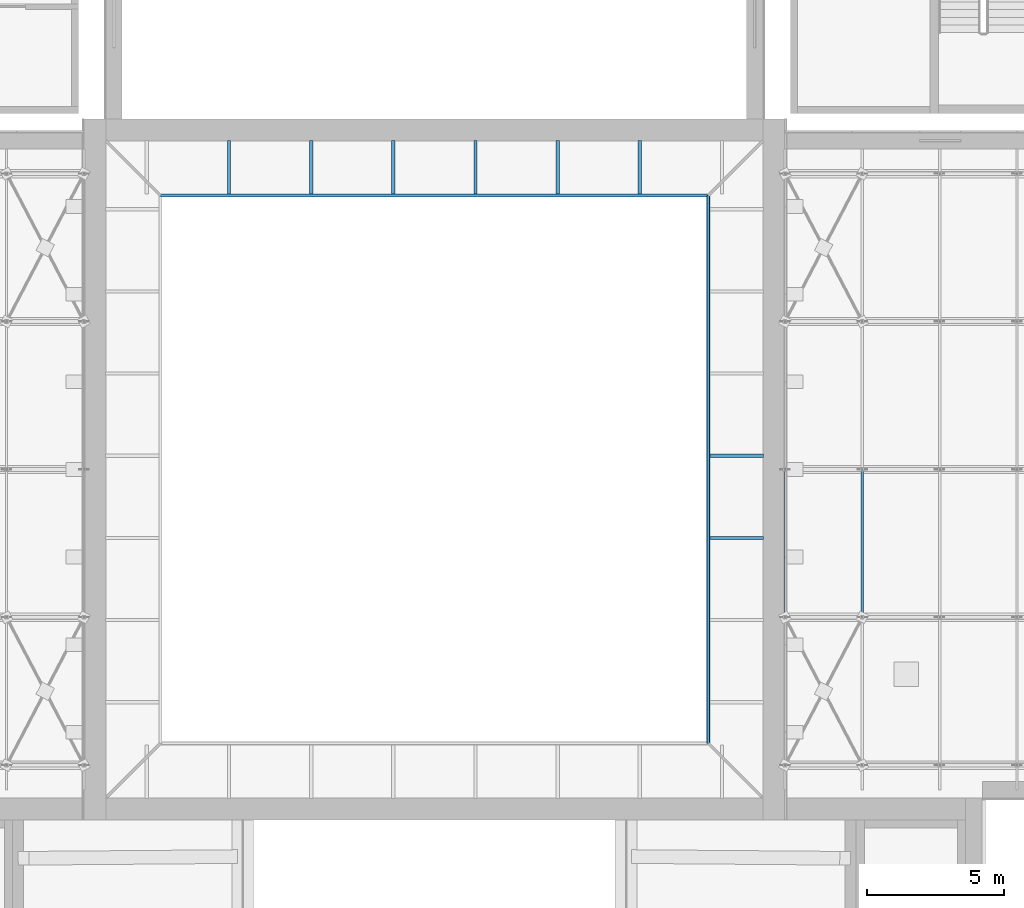
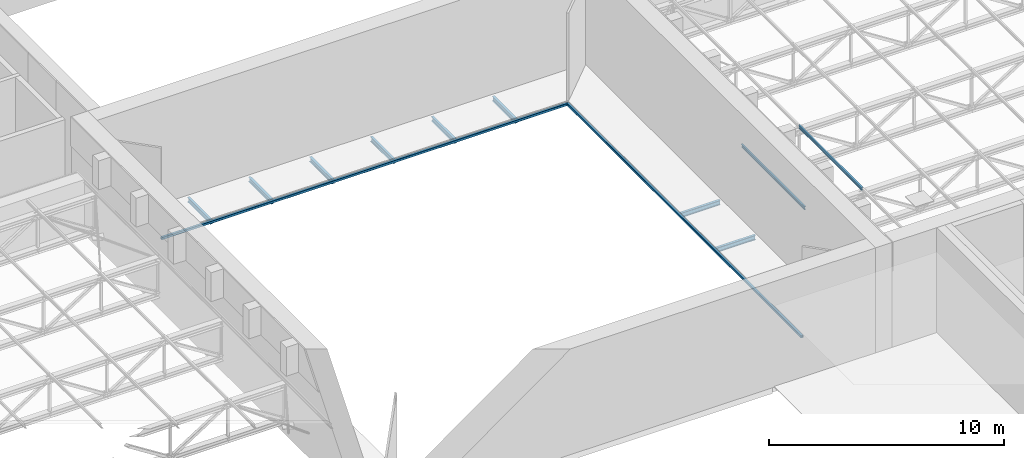
# One storey, part 38 of 132: 12 members.
"""IFC4 building model written with IfcOpenShell, lengths in metres."""

from ifc_helpers import new_model, si_unit, direction, frame, origin, origin_2d, place, context, subcontext, project, spatial, hollow_rectangle, i_section, extrude, material, material_profile, profile_set, type_object, element, save


model = new_model("IFC4")

# Units and contexts
model_context = context("Model", 3, precision=1e-05, world=origin(), true_north=direction((0.0, 1.0)))
body_context = subcontext(model_context, "Body", "Model", "MODEL_VIEW")
ifc_project = project(units=[si_unit("LENGTHUNIT", "METRE"), si_unit("AREAUNIT", "SQUARE_METRE"), si_unit("VOLUMEUNIT", "CUBIC_METRE"), si_unit("PLANEANGLEUNIT", "RADIAN"), si_unit("MASSUNIT", "GRAM", prefix="KILO")], contexts=[model_context])

# Site, building, storey
site_placement = place(None, origin())
site = spatial("IfcSite", under=ifc_project, at=site_placement, CompositionType="ELEMENT")
building_placement = place(site_placement, origin())
building = spatial("IfcBuilding", under=site, at=building_placement, Name="Lunette Opera House", CompositionType="ELEMENT")
storey_placement = place(building_placement, frame((0.0, 0.0, 17.0)))
storey = spatial("IfcBuildingStorey", under=building, at=storey_placement, Name="L03", CompositionType="ELEMENT", Elevation=17.0)

# Members
ifc_material_1 = material(Name="Steel S355", Category="steel")
ifc_material_profile_1 = material_profile(ifc_material_1, i_section(OverallWidth=0.1201171875, OverallDepth=0.239990234375, WebThickness=0.006103515625, FlangeThickness=0.009765625, FilletRadius=0.014892578125, at=origin_2d()), Name="IPE 240")
ifc_profile_set_1 = profile_set([ifc_material_profile_1], Name="Steel S355")
member_type_1 = type_object("IfcMemberType", Name="BRACKET IPE 240", PredefinedType="MEMBER", material=ifc_profile_set_1)
for number, where, z_axis, x_axis, name in (
    (1, (88.5, 120.010009765625, -0.179931640625), (0.0, -1.0, 0.0), (1.0, 0.0, 0.0), "mem-ST-L03-FG2-BKN885-1200"),
    (2, (91.5, 120.010009765625, -0.179931640625), (0.0, -1.0, 0.0), (1.0, 0.0, 0.0), "mem-ST-L03-FG2-BKN915-1200"),
    (3, (94.5, 120.010009765625, -0.179931640625), (0.0, -1.0, 0.0), (1.0, 0.0, 0.0), "mem-ST-L03-FG2-BKN945-1200"),
    (4, (97.5, 120.010009765625, -0.179931640625), (0.0, -1.0, 0.0), (1.0, 0.0, 0.0), "mem-ST-L03-FG2-BKN975-1200"),
    (5, (100.5, 120.010009765625, -0.179931640625), (0.0, -1.0, 0.0), (1.0, 0.0, 0.0), "mem-ST-L03-FG2-BKN1005-1200"),
    (6, (103.5, 120.010009765625, -0.179931640625), (0.0, -1.0, 0.0), (1.0, 0.0, 0.0), "mem-ST-L03-FG2-BKN1035-1200"),
    (7, (108.010009765625, 105.5, -0.179931640625), (-1.0, 0.0, 0.0), (0.0, -1.0, 0.0), "mem-ST-L03-FG2-BKE1080-1055"),
    (8, (108.010009765625, 108.5, -0.179931640625), (-1.0, 0.0, 0.0), (0.0, -1.0, 0.0), "mem-ST-L03-FG2-BKE1080-1085"),
):
    element("IfcMember", number, at=place(storey_placement, frame(where, z_axis=z_axis, x_axis=x_axis)), inside=storey, type_object=member_type_1, Name=name, PredefinedType="MEMBER", context=body_context, shape_type="SweptSolid", body=[
        extrude(i_section(OverallWidth=0.1201171875, OverallDepth=0.239990234375, WebThickness=0.006103515625, FlangeThickness=0.009765625, FilletRadius=0.014892578125, at=origin_2d()), origin(), (0.0, 0.0, 1.0), 1.949951171875),
    ])
ifc_material_2 = material(Name="Steel S355", Category="steel")
ifc_material_profile_2 = material_profile(ifc_material_2, hollow_rectangle(XDim=0.1201171875, YDim=0.1201171875, WallThickness=0.006103515625, InnerFilletRadius=0.006103515625, OuterFilletRadius=0.011962890625, at=origin_2d()), Name="RHS 120X120X6")
ifc_profile_set_2 = profile_set([ifc_material_profile_2], Name="Steel S355")
member_type_2 = type_object("IfcMemberType", Name="EDGE RHS 120X120X6", PredefinedType="MEMBER", material=ifc_profile_set_2)
for number, where, z_axis, x_axis, name in (
    (9, (86.0, 118.0, -0.1201171875), (1.0, 0.0, 0.0), (0.0, 1.0, 0.0), "mem-ST-L03-FG2-EDN"),
    (10, (106.0, 98.0, -0.1201171875), (0.0, 1.0, 0.0), (-1.0, 0.0, 0.0), "mem-ST-L03-FG2-EDE"),
):
    element("IfcMember", number, at=place(storey_placement, frame(where, z_axis=z_axis, x_axis=x_axis)), inside=storey, type_object=member_type_2, Name=name, PredefinedType="MEMBER", context=body_context, shape_type="SweptSolid", body=[
        extrude(hollow_rectangle(XDim=0.1201171875, YDim=0.1201171875, WallThickness=0.006103515625, InnerFilletRadius=0.006103515625, OuterFilletRadius=0.011962890625, at=origin_2d()), origin(), (0.0, 0.0, 1.0), 20.0),
    ])
ifc_material_3 = material(Name="Steel S355", Category="steel")
ifc_material_profile_3 = material_profile(ifc_material_3, i_section(OverallWidth=0.08203125, OverallDepth=0.159912109375, WebThickness=0.0048828125, FlangeThickness=0.00732421875, FilletRadius=0.009033203125, at=origin_2d()), Name="IPE 160")
ifc_profile_set_3 = profile_set([ifc_material_profile_3], Name="Steel S355")
member_type_3 = type_object("IfcMemberType", Name="PURLIN IPE 160", PredefinedType="PURLIN", material=ifc_profile_set_3)
for number, where, z_axis, x_axis, name in (
    (11, (108.800048828125, 102.60009765625, 2.800048828125), (0.0, 1.0, 0.0), (-1.0, 0.0, 0.0), "mem-ST-L03-SE-TR-PU1-3"),
    (12, (111.625, 102.60009765625, 2.800048828125), (0.0, 1.0, 0.0), (-1.0, 0.0, 0.0), "mem-ST-L03-SE-TR-PU2-3"),
):
    element("IfcMember", number, at=place(storey_placement, frame(where, z_axis=z_axis, x_axis=x_axis)), inside=storey, type_object=member_type_3, Name=name, PredefinedType="PURLIN", context=body_context, shape_type="SweptSolid", body=[
        extrude(i_section(OverallWidth=0.08203125, OverallDepth=0.159912109375, WebThickness=0.0048828125, FlangeThickness=0.00732421875, FilletRadius=0.009033203125, at=origin_2d()), origin(), (0.0, 0.0, 1.0), 5.39990234375),
    ])

save(model, "model.ifc")
